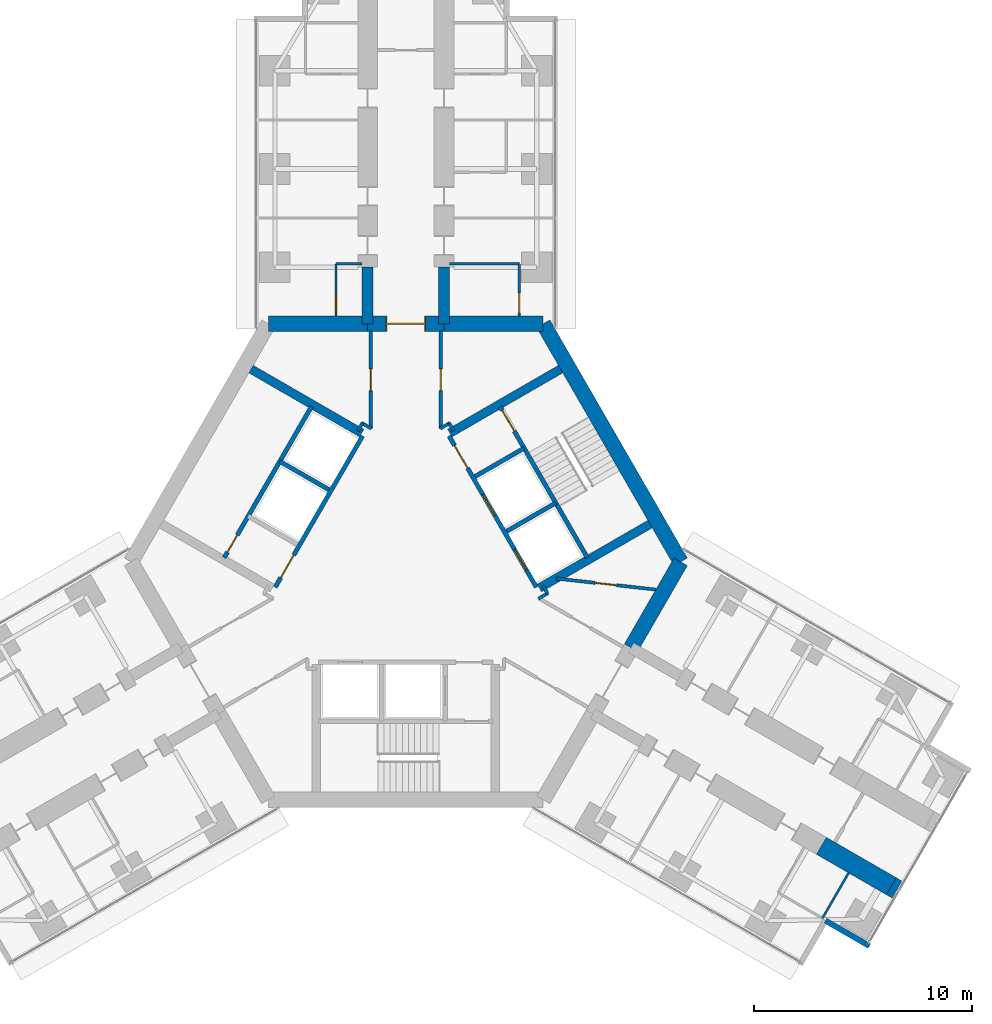
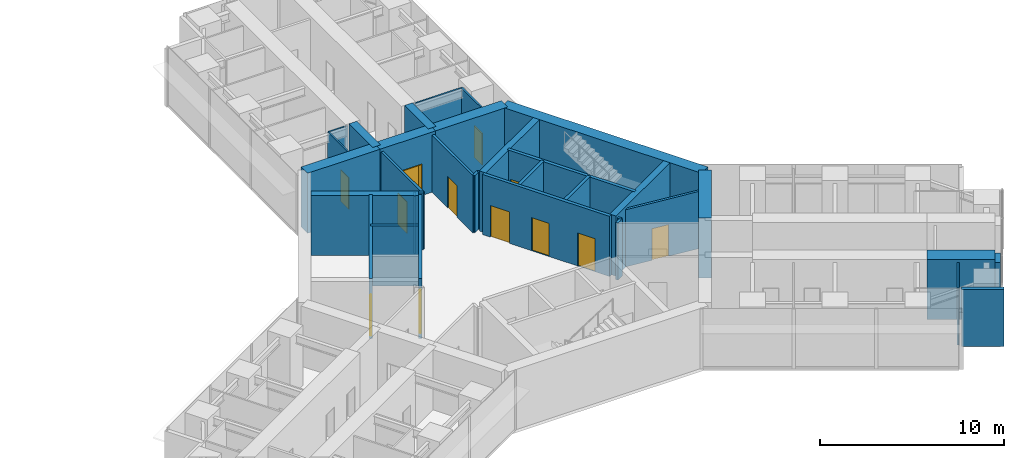
# One storey, part 22 of 25: 34 walls, 12 doors, 12 openings.
"""IFC4 building model written with IfcOpenShell, lengths in metres."""

from ifc_helpers import new_model, si_unit, direction, frame, frame_2d, origin, place, context, subcontext, project, spatial, rectangle, extrude, material, layer, layer_set, type_object, element, fill, save


model = new_model("IFC4")

# Units and contexts
model_context = context("Model", 3, precision=1e-05, world=origin(), true_north=direction((0.0, 1.0)))
body_context = subcontext(model_context, "Body", "Model", "MODEL_VIEW")
ifc_project = project(units=[si_unit("LENGTHUNIT", "METRE"), si_unit("AREAUNIT", "SQUARE_METRE"), si_unit("VOLUMEUNIT", "CUBIC_METRE"), si_unit("PLANEANGLEUNIT", "RADIAN"), si_unit("MASSUNIT", "GRAM", prefix="KILO")], contexts=[model_context])

# Site, building, storey
site_placement = place(None, origin())
site = spatial("IfcSite", under=ifc_project, at=site_placement, CompositionType="ELEMENT")
building_placement = place(site_placement, origin())
building = spatial("IfcBuilding", under=site, at=building_placement, Name="Upepo Twin Towers", CompositionType="ELEMENT")
storey_placement = place(building_placement, frame((0.0, 0.0, 72.5)))
storey = spatial("IfcBuildingStorey", under=building, at=storey_placement, Name="L17", CompositionType="ELEMENT", Elevation=72.5)

# Walls
ifc_material_1 = material(Name="Dense concrete blockwork", Category="masonry")
ifc_layer_1 = layer(ifc_material_1, 0.89990234375)
ifc_layer_set_1 = layer_set([ifc_layer_1], Name="Buttress closer 900, blockwork with fire-stopping to the curtain wall")
wall_type_1 = type_object("IfcWallType", Name="Buttress closer 900, blockwork with fire-stopping to the curtain wall", PredefinedType="PARTITIONING", material=ifc_layer_set_1)
wall_1_placement = place(storey_placement, frame((80.747802734375, -32.865478515625, 0.0), z_axis=(0.0, 0.0, 1.0), x_axis=(0.866054481515, -0.499949632511, 0.0)))
element("IfcWall", 1, at=wall_1_placement, inside=storey, type_object=wall_type_1, Name="T2 L17 wing C buttress closer R", PredefinedType="PARTITIONING", context=body_context, shape_type="SweptSolid", body=[
    extrude(rectangle(XDim=0.31005859375, YDim=0.89990234375, at=frame_2d((0.155029296875, 0.0))), origin(), (0.0, 0.0, 1.0), 3.800048828125),
])
ifc_material_2 = material(Name="Concrete C60/75", Category="concrete")
ifc_layer_2 = layer(ifc_material_2, 0.5)
ifc_layer_set_2 = layer_set([ifc_layer_2], Name="Concrete C60/75")
wall_type_2 = type_object("IfcWallType", Name="Buttress wall 500 RC", PredefinedType="SHEAR", material=ifc_layer_set_2)
for number, where, z_axis, x_axis, name in (
    (2, (56.75, -7.091552734375, 0.0), (0.0, 0.0, 1.0), (0.0, 1.0, 0.0), "T2 wing A buttress wall L"),
    (3, (60.25, -7.091552734375, 0.0), (0.0, 0.0, 1.0), (0.0, 1.0, 0.0), "T2 wing A buttress wall R"),
):
    element("IfcWall", number, at=place(storey_placement, frame(where, z_axis=z_axis, x_axis=x_axis)), inside=storey, type_object=wall_type_2, Name=name, PredefinedType="SHEAR", context=body_context, shape_type="SweptSolid", body=[
        extrude(rectangle(XDim=2.591552734375, YDim=0.5, at=frame_2d((1.2958984375, 0.0))), origin(), (0.0, 0.0, 1.0), 4.0),
    ])
ifc_material_3 = material(Name="Concrete C60/75", Category="concrete")
ifc_layer_3 = layer(ifc_material_3, 0.89990234375)
ifc_layer_set_3 = layer_set([ifc_layer_3], Name="Concrete C60/75")
wall_type_3 = type_object("IfcWallType", Name="Buttress wall 900 RC", PredefinedType="SHEAR", material=ifc_layer_set_3)
wall_2_placement = place(storey_placement, frame((77.543701171875, -31.015625, 0.0), z_axis=(0.0, 0.0, 1.0), x_axis=(0.866029545028, -0.499992827086, 0.0)))
element("IfcWall", 4, at=wall_2_placement, inside=storey, type_object=wall_type_3, Name="T2 wing C buttress wall R part 3", PredefinedType="SHEAR", context=body_context, shape_type="SweptSolid", body=[
    extrude(rectangle(XDim=3.69970703125, YDim=0.89990234375, at=frame_2d((1.849853515625, 0.0))), origin(), (0.0, 0.0, 1.0), 4.0),
])
ifc_material_4 = material(Name="Concrete C60/75", Category="concrete")
ifc_layer_4 = layer(ifc_material_4, 0.699951171875)
ifc_layer_set_4 = layer_set([ifc_layer_4], Name="Concrete C60/75")
wall_type_4 = type_object("IfcWallType", Name="Core wall 700 RC", PredefinedType="SHEAR", material=ifc_layer_set_4)
wall_3_placement = place(storey_placement, frame((64.7978515625, -7.091552734375, 0.0), z_axis=(0.0, 0.0, 1.0), x_axis=(-1.0, 0.0, 0.0)))
element("IfcWall", 5, at=wall_3_placement, inside=storey, type_object=wall_type_4, Name="T2 core wall 000 R", PredefinedType="SHEAR", context=body_context, shape_type="SweptSolid", body=[
    extrude(rectangle(XDim=4.5478515625, YDim=0.699951171875, at=frame_2d((2.27392578125, 0.0))), origin(), (0.0, 0.0, 1.0), 4.0),
])

# Wall, opening, door
wall_4_placement = place(storey_placement, frame((60.25, -7.091552734375, 0.0), z_axis=(0.0, 0.0, 1.0), x_axis=(-1.0, 0.0, 0.0)))
wall_4 = element("IfcWall", 6, at=wall_4_placement, inside=storey, type_object=wall_type_4, Name="T2 core wall 000", PredefinedType="SHEAR", context=body_context, shape_type="SweptSolid", body=[
    extrude(rectangle(XDim=3.5, YDim=0.699951171875, at=frame_2d((1.75, 0.0))), origin(), (0.0, 0.0, 1.0), 4.0),
])
opening_1_placement = place(wall_4_placement, frame((0.85009765625, 0.0, 0.0)))
opening_1 = element("IfcOpeningElement", 7, at=opening_1_placement, cuts=wall_4, Name="Opening D2", PredefinedType="OPENING", context=body_context, shape_type="SweptSolid", body=[
    extrude(rectangle(XDim=1.800048828125, YDim=2.10009765625, at=frame_2d((0.89990234375, 1.050048828125))), frame((0.0, 0.35986328125, 0.0), z_axis=(0.0, -1.0, 0.0), x_axis=(1.0, 0.0, 0.0)), (0.0, 0.0, 1.0), 0.719970703125),
])
ifc_material_5 = material(Name="Timber doorset", Category="wood")
door_type_1 = type_object("IfcDoorType", Name="Corridor double door 1800 FD60", OperationType="DOUBLE_DOOR_DOUBLE_SWING", PredefinedType="DOOR", material=ifc_material_5)
door_1_placement = place(opening_1_placement, origin())
door_1 = element("IfcDoor", 8, at=door_1_placement, inside=storey, type_object=door_type_1, Name="T2 L17 wing A corridor door", OperationType="DOUBLE_DOOR_DOUBLE_SWING", OverallHeight=2.10009765625, OverallWidth=1.800048828125, PredefinedType="DOOR", context=body_context, shape_type="SweptSolid", body=[
    extrude(rectangle(XDim=1.720048828125, YDim=2.06009765625, at=frame_2d((0.89990234375, 1.030029296875))), frame((0.0, 0.02490234375, 0.0), z_axis=(0.0, -1.0, 0.0), x_axis=(1.0, 0.0, 0.0)), (0.0, 0.0, 1.0), 0.050048828125),
    extrude(rectangle(XDim=0.04, YDim=2.10009765625, at=frame_2d((0.02001953125, 1.050048828125))), frame((0.0, 0.349609375, 0.0), z_axis=(0.0, -1.0, 0.0), x_axis=(1.0, 0.0, 0.0)), (0.0, 0.0, 1.0), 0.699462890625),
    extrude(rectangle(XDim=0.04, YDim=2.10009765625, at=frame_2d((1.780029296875, 1.050048828125))), frame((0.0, 0.349609375, 0.0), z_axis=(0.0, -1.0, 0.0), x_axis=(1.0, 0.0, 0.0)), (0.0, 0.0, 1.0), 0.699462890625),
    extrude(rectangle(XDim=1.720048828125, YDim=0.04, at=frame_2d((0.89990234375, 2.080078125))), frame((0.0, 0.349609375, 0.0), z_axis=(0.0, -1.0, 0.0), x_axis=(1.0, 0.0, 0.0)), (0.0, 0.0, 1.0), 0.699462890625),
])
fill(opening_1, door_1)

# Walls
wall_5_placement = place(storey_placement, frame((56.75, -7.091552734375, 0.0), z_axis=(0.0, 0.0, 1.0), x_axis=(-1.0, 0.0, 0.0)))
element("IfcWall", 9, at=wall_5_placement, inside=storey, type_object=wall_type_4, Name="T2 core wall 000 L", PredefinedType="SHEAR", context=body_context, shape_type="SweptSolid", body=[
    extrude(rectangle(XDim=4.5478515625, YDim=0.699951171875, at=frame_2d((2.27392578125, 0.0))), origin(), (0.0, 0.0, 1.0), 4.0),
])
wall_6_placement = place(storey_placement, frame((68.82177734375, -21.938720703125, 0.0), z_axis=(0.0, 0.0, 1.0), x_axis=(0.500024481964, 0.866011268655, 0.0)))
element("IfcWall", 10, at=wall_6_placement, inside=storey, type_object=wall_type_4, Name="T2 core wall 240 L", PredefinedType="SHEAR", context=body_context, shape_type="SweptSolid", body=[
    extrude(rectangle(XDim=4.548095703125, YDim=0.699951171875, at=frame_2d((2.27392578125, 0.0))), origin(), (0.0, 0.0, 1.0), 4.0),
])
wall_7_placement = place(storey_placement, frame((71.095947265625, -18.0, 0.0), z_axis=(0.0, 0.0, 1.0), x_axis=(-0.500005998175, 0.866021940709, 0.0)))
element("IfcWall", 11, at=wall_7_placement, inside=storey, type_object=wall_type_4, Name="T2 core wall 300", PredefinedType="SHEAR", context=body_context, shape_type="SweptSolid", body=[
    extrude(rectangle(XDim=12.595947265625, YDim=0.699951171875, at=frame_2d((6.2978515625, 0.0))), origin(), (0.0, 0.0, 1.0), 4.0),
])
ifc_material_6 = material(Name="Blockwork with anodised aluminium cladding", Category="masonry")
ifc_layer_5 = layer(ifc_material_6, 0.25)
ifc_layer_set_5 = layer_set([ifc_layer_5], Name="Notch cladding wall 250, pale metal")
wall_type_5 = type_object("IfcWallType", Name="Notch cladding wall 250, pale metal", PredefinedType="STANDARD", material=ifc_layer_set_5)
wall_8_placement = place(storey_placement, frame((77.72998046875, -34.44287109375, 0.0), z_axis=(0.0, 0.0, 1.0), x_axis=(0.865998469481, -0.500046648681, 0.0)))
element("IfcWall", 12, at=wall_8_placement, inside=storey, type_object=wall_type_5, Name="T2 L17 wing C notch wall R2", PredefinedType="STANDARD", context=body_context, shape_type="SweptSolid", body=[
    extrude(rectangle(XDim=2.324951171875, YDim=0.25, at=frame_2d((1.16259765625, 0.0))), origin(), (0.0, 0.0, 1.0), 3.800048828125),
])

# Wall, opening, door
ifc_material_7 = material(Name="Gypsum board on steel studs", Category="steel")
ifc_layer_6 = layer(ifc_material_7, 0.10009765625)
ifc_layer_set_6 = layer_set([ifc_layer_6], Name="Office partition 100 stud")
wall_type_6 = type_object("IfcWallType", Name="Office partition 100 stud", PredefinedType="PARTITIONING", material=ifc_layer_set_6)
wall_9_placement = place(storey_placement, frame((55.300048828125, -6.741943359375, 0.0), z_axis=(0.0, 0.0, 1.0), x_axis=(0.0, 1.0, 0.0)))
wall_9 = element("IfcWall", 13, at=wall_9_placement, inside=storey, type_object=wall_type_6, Name="T2 WC bay partition AL at 11.26", PredefinedType="PARTITIONING", context=body_context, shape_type="SweptSolid", body=[
    extrude(rectangle(XDim=2.39990234375, YDim=0.10009765625, at=frame_2d((1.199951171875, 0.0))), origin(), (0.0, 0.0, 1.0), 3.800048828125),
])
opening_2_placement = place(wall_9_placement, frame((0.14990234375, 0.0, 0.0)))
opening_2 = element("IfcOpeningElement", 14, at=opening_2_placement, cuts=wall_9, Name="Opening D14", PredefinedType="OPENING", context=body_context, shape_type="SweptSolid", body=[
    extrude(rectangle(XDim=0.89990234375, YDim=2.10009765625, at=frame_2d((0.449951171875, 1.050048828125))), frame((0.0, 0.06005859375, 0.0), z_axis=(0.0, -1.0, 0.0), x_axis=(1.0, 0.0, 0.0)), (0.0, 0.0, 1.0), 0.1201171875),
])
ifc_material_8 = material(Name="Timber doorset", Category="wood")
door_type_2 = type_object("IfcDoorType", Name="Office door 900 FD30", OperationType="SINGLE_SWING_LEFT", PredefinedType="DOOR", material=ifc_material_8)
door_2_placement = place(opening_2_placement, origin())
door_2 = element("IfcDoor", 15, at=door_2_placement, inside=storey, type_object=door_type_2, Name="T2 L17 WC bay inner room door", OperationType="SINGLE_SWING_LEFT", OverallHeight=2.10009765625, OverallWidth=0.89990234375, PredefinedType="DOOR", context=body_context, shape_type="SweptSolid", body=[
    extrude(rectangle(XDim=0.89990234375, YDim=2.10009765625, at=frame_2d((0.449951171875, 1.050048828125))), frame((0.0, 0.02490234375, 0.0), z_axis=(0.0, -1.0, 0.0), x_axis=(1.0, 0.0, 0.0)), (0.0, 0.0, 1.0), 0.050048828125),
])
fill(opening_2, door_2)

# Wall
wall_10_placement = place(storey_placement, frame((56.5, -4.342041015625, 0.0), z_axis=(0.0, 0.0, 1.0), x_axis=(-1.0, 0.0, 0.0)))
element("IfcWall", 16, at=wall_10_placement, inside=storey, type_object=wall_type_6, Name="T2 WC bay partition AL end at 13.66", PredefinedType="PARTITIONING", context=body_context, shape_type="SweptSolid", body=[
    extrude(rectangle(XDim=1.199951171875, YDim=0.10009765625, at=frame_2d((0.60009765625, 0.0))), origin(), (0.0, 0.0, 1.0), 3.800048828125),
])

# Wall, opening, door
wall_11_placement = place(storey_placement, frame((63.699951171875, -6.741943359375, 0.0), z_axis=(0.0, 0.0, 1.0), x_axis=(0.0, 1.0, 0.0)))
wall_11 = element("IfcWall", 17, at=wall_11_placement, inside=storey, type_object=wall_type_6, Name="T2 WC bay partition AR at 11.26", PredefinedType="PARTITIONING", context=body_context, shape_type="SweptSolid", body=[
    extrude(rectangle(XDim=2.39990234375, YDim=0.10009765625, at=frame_2d((1.199951171875, 0.0))), origin(), (0.0, 0.0, 1.0), 3.800048828125),
])
opening_3_placement = place(wall_11_placement, frame((0.14990234375, 0.0, 0.0)))
opening_3 = element("IfcOpeningElement", 18, at=opening_3_placement, cuts=wall_11, Name="Opening D14", PredefinedType="OPENING", context=body_context, shape_type="SweptSolid", body=[
    extrude(rectangle(XDim=0.89990234375, YDim=2.10009765625, at=frame_2d((0.449951171875, 1.050048828125))), frame((0.0, 0.06005859375, 0.0), z_axis=(0.0, -1.0, 0.0), x_axis=(1.0, 0.0, 0.0)), (0.0, 0.0, 1.0), 0.1201171875),
])
door_3_placement = place(opening_3_placement, origin())
door_3 = element("IfcDoor", 19, at=door_3_placement, inside=storey, type_object=door_type_2, Name="T2 L17 WC bay inner room door", OperationType="SINGLE_SWING_LEFT", OverallHeight=2.10009765625, OverallWidth=0.89990234375, PredefinedType="DOOR", context=body_context, shape_type="SweptSolid", body=[
    extrude(rectangle(XDim=0.89990234375, YDim=2.10009765625, at=frame_2d((0.449951171875, 1.050048828125))), frame((0.0, 0.02490234375, 0.0), z_axis=(0.0, -1.0, 0.0), x_axis=(1.0, 0.0, 0.0)), (0.0, 0.0, 1.0), 0.050048828125),
])
fill(opening_3, door_3)

# Walls
wall_12_placement = place(storey_placement, frame((60.5, -4.342041015625, 0.0), z_axis=(0.0, 0.0, 1.0), x_axis=(1.0, 0.0, 0.0)))
element("IfcWall", 20, at=wall_12_placement, inside=storey, type_object=wall_type_6, Name="T2 WC bay partition AR end at 13.66", PredefinedType="PARTITIONING", context=body_context, shape_type="SweptSolid", body=[
    extrude(rectangle(XDim=3.199951171875, YDim=0.10009765625, at=frame_2d((1.60009765625, 0.0))), origin(), (0.0, 0.0, 1.0), 3.800048828125),
])
wall_13_placement = place(storey_placement, frame((78.790771484375, -32.25537109375, 0.0), z_axis=(0.0, 0.0, 1.0), x_axis=(-0.500001309137, -0.866024647952, 0.0)))
element("IfcWall", 21, at=wall_13_placement, inside=storey, type_object=wall_type_6, Name="T2 inner room partition CR end at 24.75", PredefinedType="PARTITIONING", context=body_context, shape_type="SweptSolid", body=[
    extrude(rectangle(XDim=2.39990234375, YDim=0.10009765625, at=frame_2d((1.199951171875, 0.0))), origin(), (0.0, 0.0, 1.0), 3.800048828125),
])

# Wall, opening, door
ifc_material_9 = material(Name="Concrete C40/50", Category="concrete")
ifc_layer_7 = layer(ifc_material_9, 0.199951171875)
ifc_layer_set_7 = layer_set([ifc_layer_7], Name="Concrete C40/50")
wall_type_7 = type_object("IfcWallType", Name="Shaft wall 200 RC", PredefinedType="SHEAR", material=ifc_layer_set_7)
wall_14_placement = place(storey_placement, frame((56.516357421875, -12.23583984375, 0.0), z_axis=(0.0, 0.0, 1.0), x_axis=(-0.49999894854, -0.866026010844, 0.0)))
wall_14 = element("IfcWall", 22, at=wall_14_placement, inside=storey, type_object=wall_type_7, Name="T2 core W60 front wall", PredefinedType="SHEAR", context=body_context, shape_type="SweptSolid", body=[
    extrude(rectangle(XDim=8.0, YDim=0.199951171875, at=frame_2d((4.0, 0.0))), origin(), (0.0, 0.0, 1.0), 4.0),
])
opening_4_placement = place(wall_14_placement, frame((6.300048828125, 0.0, 0.0)))
opening_4 = element("IfcOpeningElement", 23, at=opening_4_placement, cuts=wall_14, Name="Opening D4", PredefinedType="OPENING", context=body_context, shape_type="SweptSolid", body=[
    extrude(rectangle(XDim=1.199951171875, YDim=2.10009765625, at=frame_2d((0.60009765625, 1.050048828125))), frame((0.0, 0.10986328125, 0.0), z_axis=(0.0, -1.0, 0.0), x_axis=(1.0, 0.0, 0.0)), (0.0, 0.0, 1.0), 0.219970703125),
])
ifc_material_10 = material(Name="Timber doorset", Category="wood")
door_type_3 = type_object("IfcDoorType", Name="Lobby door 1200 FD60", OperationType="SINGLE_SWING_LEFT", PredefinedType="DOOR", material=ifc_material_10)
door_4_placement = place(opening_4_placement, origin())
door_4 = element("IfcDoor", 24, at=door_4_placement, inside=storey, type_object=door_type_3, Name="T2 L17 W60 lobby door", OperationType="SINGLE_SWING_RIGHT", OverallHeight=2.10009765625, OverallWidth=1.199951171875, PredefinedType="DOOR", context=body_context, shape_type="SweptSolid", body=[
    extrude(rectangle(XDim=1.199951171875, YDim=2.10009765625, at=frame_2d((0.60009765625, 1.050048828125))), frame((0.0, 0.02490234375, 0.0), z_axis=(0.0, -1.0, 0.0), x_axis=(1.0, 0.0, 0.0)), (0.0, 0.0, 1.0), 0.050048828125),
])
fill(opening_4, door_4)

# Wall
wall_15_placement = place(storey_placement, frame((54.979736328125, -14.697265625, 0.0), z_axis=(0.0, 0.0, 1.0), x_axis=(-0.866062058628, 0.499936506574, 0.0)))
element("IfcWall", 25, at=wall_15_placement, inside=storey, type_object=wall_type_7, Name="T2 core W60 shaft divider", PredefinedType="SHEAR", context=body_context, shape_type="SweptSolid", body=[
    extrude(rectangle(XDim=2.599853515625, YDim=0.199951171875, at=frame_2d((1.2998046875, 0.0))), origin(), (0.0, 0.0, 1.0), 4.0),
])

# Wall, opening, door
wall_16_placement = place(storey_placement, frame((54.177978515625, -10.885986328125, 0.0), z_axis=(0.0, 0.0, 1.0), x_axis=(-0.49999894854, -0.866026010844, 0.0)))
wall_16 = element("IfcWall", 26, at=wall_16_placement, inside=storey, type_object=wall_type_7, Name="T2 core W60 stair wall", PredefinedType="SHEAR", context=body_context, shape_type="SweptSolid", body=[
    extrude(rectangle(XDim=8.0, YDim=0.199951171875, at=frame_2d((4.0, 0.0))), origin(), (0.0, 0.0, 1.0), 4.0),
])
opening_5_placement = place(wall_16_placement, frame((6.800048828125, 0.0, 0.0)))
opening_5 = element("IfcOpeningElement", 27, at=opening_5_placement, cuts=wall_16, Name="Opening D9", PredefinedType="OPENING", context=body_context, shape_type="SweptSolid", body=[
    extrude(rectangle(XDim=0.89990234375, YDim=2.10009765625, at=frame_2d((0.449951171875, 1.050048828125))), frame((0.0, 0.10986328125, 0.0), z_axis=(0.0, -1.0, 0.0), x_axis=(1.0, 0.0, 0.0)), (0.0, 0.0, 1.0), 0.219970703125),
])
ifc_material_11 = material(Name="Timber doorset", Category="wood")
door_type_4 = type_object("IfcDoorType", Name="Riser door 900 FD60", OperationType="SINGLE_SWING_LEFT", PredefinedType="DOOR", material=ifc_material_11)
door_5_placement = place(opening_5_placement, origin())
door_5 = element("IfcDoor", 28, at=door_5_placement, inside=storey, type_object=door_type_4, Name="T2 L17 riser door", OperationType="SINGLE_SWING_RIGHT", OverallHeight=2.10009765625, OverallWidth=0.89990234375, PredefinedType="DOOR", context=body_context, shape_type="SweptSolid", body=[
    extrude(rectangle(XDim=0.89990234375, YDim=2.10009765625, at=frame_2d((0.449951171875, 1.050048828125))), frame((0.0, 0.02490234375, 0.0), z_axis=(0.0, -1.0, 0.0), x_axis=(1.0, 0.0, 0.0)), (0.0, 0.0, 1.0), 0.050048828125),
])
fill(opening_5, door_5)

# Wall, openings, doors
wall_17_placement = place(storey_placement, frame((64.483642578125, -19.1640625, 0.0), z_axis=(0.0, 0.0, 1.0), x_axis=(-0.49999894854, 0.866026010844, 0.0)))
wall_17 = element("IfcWall", 29, at=wall_17_placement, inside=storey, type_object=wall_type_7, Name="T2 core W300 front wall", PredefinedType="SHEAR", context=body_context, shape_type="SweptSolid", body=[
    extrude(rectangle(XDim=8.0, YDim=0.199951171875, at=frame_2d((4.0, 0.0))), origin(), (0.0, 0.0, 1.0), 4.0),
])
opening_6_placement = place(wall_17_placement, frame((6.300048828125, 0.0, 0.0)))
opening_6 = element("IfcOpeningElement", 30, at=opening_6_placement, cuts=wall_17, Name="Opening D4", PredefinedType="OPENING", context=body_context, shape_type="SweptSolid", body=[
    extrude(rectangle(XDim=1.199951171875, YDim=2.10009765625, at=frame_2d((0.60009765625, 1.050048828125))), frame((0.0, 0.10986328125, 0.0), z_axis=(0.0, -1.0, 0.0), x_axis=(1.0, 0.0, 0.0)), (0.0, 0.0, 1.0), 0.219970703125),
])
opening_7_placement = place(wall_17_placement, frame((0.89990234375, 0.0, 0.0)))
opening_7 = element("IfcOpeningElement", 31, at=opening_7_placement, cuts=wall_17, Name="Opening LD1", PredefinedType="OPENING", context=body_context, shape_type="SweptSolid", body=[
    extrude(rectangle(XDim=1.10009765625, YDim=2.199951171875, at=frame_2d((0.550048828125, 1.10009765625))), frame((0.0, 0.10986328125, 0.0), z_axis=(0.0, -1.0, 0.0), x_axis=(1.0, 0.0, 0.0)), (0.0, 0.0, 1.0), 0.219970703125),
])
opening_8_placement = place(wall_17_placement, frame((3.800048828125, 0.0, 0.0)))
opening_8 = element("IfcOpeningElement", 32, at=opening_8_placement, cuts=wall_17, Name="Opening LD1", PredefinedType="OPENING", context=body_context, shape_type="SweptSolid", body=[
    extrude(rectangle(XDim=1.10009765625, YDim=2.199951171875, at=frame_2d((0.550048828125, 1.10009765625))), frame((0.0, 0.10986328125, 0.0), z_axis=(0.0, -1.0, 0.0), x_axis=(1.0, 0.0, 0.0)), (0.0, 0.0, 1.0), 0.219970703125),
])
ifc_material_12 = material(Name="Steel doorset", Category="steel")
door_type_5 = type_object("IfcDoorType", Name="Lift landing door 1100", OperationType="DOUBLE_DOOR_SLIDING", PredefinedType="DOOR", material=ifc_material_12)
door_6_placement = place(opening_7_placement, origin())
door_6 = element("IfcDoor", 33, at=door_6_placement, inside=storey, type_object=door_type_5, Name="T2 L17 lift LL1 landing door", OperationType="DOUBLE_DOOR_SLIDING", OverallHeight=2.199951171875, OverallWidth=1.10009765625, PredefinedType="DOOR", context=body_context, shape_type="SweptSolid", body=[
    extrude(rectangle(XDim=1.10009765625, YDim=2.199951171875, at=frame_2d((0.550048828125, 1.10009765625))), frame((0.0, 0.02490234375, 0.0), z_axis=(0.0, -1.0, 0.0), x_axis=(1.0, 0.0, 0.0)), (0.0, 0.0, 1.0), 0.050048828125),
])
fill(opening_7, door_6)
door_7_placement = place(opening_8_placement, origin())
door_7 = element("IfcDoor", 34, at=door_7_placement, inside=storey, type_object=door_type_5, Name="T2 L17 lift LL2 landing door", OperationType="DOUBLE_DOOR_SLIDING", OverallHeight=2.199951171875, OverallWidth=1.10009765625, PredefinedType="DOOR", context=body_context, shape_type="SweptSolid", body=[
    extrude(rectangle(XDim=1.10009765625, YDim=2.199951171875, at=frame_2d((0.550048828125, 1.10009765625))), frame((0.0, 0.02490234375, 0.0), z_axis=(0.0, -1.0, 0.0), x_axis=(1.0, 0.0, 0.0)), (0.0, 0.0, 1.0), 0.050048828125),
])
fill(opening_8, door_7)
door_8_placement = place(opening_6_placement, origin())
door_8 = element("IfcDoor", 35, at=door_8_placement, inside=storey, type_object=door_type_3, Name="T2 L17 W300 lobby door", OperationType="SINGLE_SWING_RIGHT", OverallHeight=2.10009765625, OverallWidth=1.199951171875, PredefinedType="DOOR", context=body_context, shape_type="SweptSolid", body=[
    extrude(rectangle(XDim=1.199951171875, YDim=2.10009765625, at=frame_2d((0.60009765625, 1.050048828125))), frame((0.0, 0.02490234375, 0.0), z_axis=(0.0, -1.0, 0.0), x_axis=(1.0, 0.0, 0.0)), (0.0, 0.0, 1.0), 0.050048828125),
])
fill(opening_6, door_8)

# Walls
wall_18_placement = place(storey_placement, frame((63.120361328125, -16.6025390625, 0.0), z_axis=(0.0, 0.0, 1.0), x_axis=(0.866062058628, 0.499936506574, 0.0)))
element("IfcWall", 36, at=wall_18_placement, inside=storey, type_object=wall_type_7, Name="T2 core W300 shaft divider", PredefinedType="SHEAR", context=body_context, shape_type="SweptSolid", body=[
    extrude(rectangle(XDim=2.599853515625, YDim=0.199951171875, at=frame_2d((1.2998046875, 0.0))), origin(), (0.0, 0.0, 1.0), 4.0),
])
wall_19_placement = place(storey_placement, frame((61.67041015625, -14.091064453125, 0.0), z_axis=(0.0, 0.0, 1.0), x_axis=(0.86603858612, 0.49997716683, 0.0)))
element("IfcWall", 37, at=wall_19_placement, inside=storey, type_object=wall_type_7, Name="T2 core W300 lobby wall", PredefinedType="SHEAR", context=body_context, shape_type="SweptSolid", body=[
    extrude(rectangle(XDim=2.599609375, YDim=0.199951171875, at=frame_2d((1.2998046875, 0.0))), origin(), (0.0, 0.0, 1.0), 4.0),
])

# Wall, opening, door
wall_20_placement = place(storey_placement, frame((66.822021484375, -17.814208984375, 0.0), z_axis=(0.0, 0.0, 1.0), x_axis=(-0.49999894854, 0.866026010844, 0.0)))
wall_20 = element("IfcWall", 38, at=wall_20_placement, inside=storey, type_object=wall_type_7, Name="T2 core W300 stair wall", PredefinedType="SHEAR", context=body_context, shape_type="SweptSolid", body=[
    extrude(rectangle(XDim=8.0, YDim=0.199951171875, at=frame_2d((4.0, 0.0))), origin(), (0.0, 0.0, 1.0), 4.0),
])
opening_9_placement = place(wall_20_placement, frame((6.699951171875, 0.0, 0.0)))
opening_9 = element("IfcOpeningElement", 39, at=opening_9_placement, cuts=wall_20, Name="Opening D3", PredefinedType="OPENING", context=body_context, shape_type="SweptSolid", body=[
    extrude(rectangle(XDim=1.10009765625, YDim=2.10009765625, at=frame_2d((0.550048828125, 1.050048828125))), frame((0.0, 0.10986328125, 0.0), z_axis=(0.0, -1.0, 0.0), x_axis=(1.0, 0.0, 0.0)), (0.0, 0.0, 1.0), 0.219970703125),
])
ifc_material_13 = material(Name="Timber doorset", Category="wood")
door_type_6 = type_object("IfcDoorType", Name="Stair door 1100 FD60", OperationType="SINGLE_SWING_LEFT", PredefinedType="DOOR", material=ifc_material_13)
door_9_placement = place(opening_9_placement, origin())
door_9 = element("IfcDoor", 40, at=door_9_placement, inside=storey, type_object=door_type_6, Name="T2 L17 stair door", OperationType="SINGLE_SWING_RIGHT", OverallHeight=2.10009765625, OverallWidth=1.10009765625, PredefinedType="DOOR", context=body_context, shape_type="SweptSolid", body=[
    extrude(rectangle(XDim=1.10009765625, YDim=2.10009765625, at=frame_2d((0.550048828125, 1.050048828125))), frame((0.0, 0.02490234375, 0.0), z_axis=(0.0, -1.0, 0.0), x_axis=(1.0, 0.0, 0.0)), (0.0, 0.0, 1.0), 0.050048828125),
])
fill(opening_9, door_9)

# Walls
ifc_material_14 = material(Name="Concrete C40/50", Category="concrete")
ifc_layer_8 = layer(ifc_material_14, 0.39990234375)
ifc_layer_set_8 = layer_set([ifc_layer_8], Name="Concrete C40/50")
wall_type_8 = type_object("IfcWallType", Name="Shaft wall 400 RC", PredefinedType="SHEAR", material=ifc_layer_set_8)
for number, where, z_axis, x_axis, name in (
    (41, (56.479736328125, -12.099365234375, 0.0), (0.0, 0.0, 1.0), (-0.866023886965, 0.500002627198, 0.0), "T2 core W60 side wall S"),
    (42, (60.520263671875, -12.099365234375, 0.0), (0.0, 0.0, 1.0), (0.866023886965, 0.500002627198, 0.0), "T2 core W300 side wall N"),
    (43, (64.620361328125, -19.20068359375, 0.0), (0.0, 0.0, 1.0), (0.866023886965, 0.500002627198, 0.0), "T2 core W300 side wall S"),
):
    element("IfcWall", number, at=place(storey_placement, frame(where, z_axis=z_axis, x_axis=x_axis)), inside=storey, type_object=wall_type_8, Name=name, PredefinedType="SHEAR", context=body_context, shape_type="SweptSolid", body=[
        extrude(rectangle(XDim=5.8583984375, YDim=0.39990234375, at=frame_2d((2.92919921875, 0.0))), origin(), (0.0, 0.0, 1.0), 4.0),
    ])
ifc_material_15 = material(Name="Gypsum board on steel studs", Category="steel")
ifc_layer_9 = layer(ifc_material_15, 0.14990234375)
ifc_layer_set_9 = layer_set([ifc_layer_9], Name="Teaching partition 150 acoustic")
wall_type_9 = type_object("IfcWallType", Name="Teaching partition 150 acoustic", PredefinedType="PARTITIONING", material=ifc_layer_set_9)
wall_21_placement = place(storey_placement, frame((56.301513671875, -12.0078125, 0.0), z_axis=(0.0, 0.0, 1.0), x_axis=(0.500230298122, 0.865892400268, 0.0)))
element("IfcWall", 44, at=wall_21_placement, inside=storey, type_object=wall_type_9, Name="T2 core room partition 6", PredefinedType="PARTITIONING", context=body_context, shape_type="SweptSolid", body=[
    extrude(rectangle(XDim=0.429931640625, YDim=0.14990234375, at=frame_2d((0.21484375, 0.0))), origin(), (0.0, 0.0, 1.0), 3.800048828125),
])
wall_22_placement = place(storey_placement, frame((56.4892578125, -11.642822265625, 0.0), z_axis=(0.0, 0.0, 1.0), x_axis=(0.865831790172, -0.50033519877, 0.0)))
element("IfcWall", 45, at=wall_22_placement, inside=storey, type_object=wall_type_9, Name="T2 core room partition 7", PredefinedType="PARTITIONING", context=body_context, shape_type="SweptSolid", body=[
    extrude(rectangle(XDim=0.494384765625, YDim=0.14990234375, at=frame_2d((0.2470703125, 0.0))), origin(), (0.0, 0.0, 1.0), 3.800048828125),
])

# Wall, opening, door
wall_23_placement = place(storey_placement, frame((56.89990234375, -11.900146484375, 0.0), z_axis=(0.0, 0.0, 1.0), x_axis=(0.0, 1.0, 0.0)))
wall_23 = element("IfcWall", 46, at=wall_23_placement, inside=storey, type_object=wall_type_9, Name="T2 core room partition 8", PredefinedType="PARTITIONING", context=body_context, shape_type="SweptSolid", body=[
    extrude(rectangle(XDim=4.468505859375, YDim=0.14990234375, at=frame_2d((2.234375, 0.0))), origin(), (0.0, 0.0, 1.0), 3.800048828125),
])
opening_10_placement = place(wall_23_placement, frame((1.744384765625, 0.0, 0.0)))
opening_10 = element("IfcOpeningElement", 47, at=opening_10_placement, cuts=wall_23, Name="Opening D1", PredefinedType="OPENING", context=body_context, shape_type="SweptSolid", body=[
    extrude(rectangle(XDim=1.0, YDim=2.10009765625, at=frame_2d((0.5, 1.050048828125))), frame((0.0, 0.0849609375, 0.0), z_axis=(0.0, -1.0, 0.0), x_axis=(1.0, 0.0, 0.0)), (0.0, 0.0, 1.0), 0.169921875),
])
ifc_material_16 = material(Name="Timber doorset", Category="wood")
door_type_7 = type_object("IfcDoorType", Name="Room door 1000 FD30", OperationType="SINGLE_SWING_LEFT", PredefinedType="DOOR", material=ifc_material_16)
door_10_placement = place(opening_10_placement, origin())
door_10 = element("IfcDoor", 48, at=door_10_placement, inside=storey, type_object=door_type_7, Name="T2 L17 core room door K7", OperationType="SINGLE_SWING_RIGHT", OverallHeight=2.10009765625, OverallWidth=1.0, PredefinedType="DOOR", context=body_context, shape_type="SweptSolid", body=[
    extrude(rectangle(XDim=1.0, YDim=2.10009765625, at=frame_2d((0.5, 1.050048828125))), frame((0.0, 0.02490234375, 0.0), z_axis=(0.0, -1.0, 0.0), x_axis=(1.0, 0.0, 0.0)), (0.0, 0.0, 1.0), 0.050048828125),
])
fill(opening_10, door_10)

wall_24_placement = place(storey_placement, frame((60.10009765625, -7.431640625, 0.0), z_axis=(0.0, 0.0, 1.0), x_axis=(0.0, -1.0, 0.0)))
wall_24 = element("IfcWall", 49, at=wall_24_placement, inside=storey, type_object=wall_type_9, Name="T2 core room partition 9", PredefinedType="PARTITIONING", context=body_context, shape_type="SweptSolid", body=[
    extrude(rectangle(XDim=4.468505859375, YDim=0.14990234375, at=frame_2d((2.234375, 0.0))), origin(), (0.0, 0.0, 1.0), 3.800048828125),
])
opening_11_placement = place(wall_24_placement, frame((1.72412109375, 0.0, 0.0)))
opening_11 = element("IfcOpeningElement", 50, at=opening_11_placement, cuts=wall_24, Name="Opening D1", PredefinedType="OPENING", context=body_context, shape_type="SweptSolid", body=[
    extrude(rectangle(XDim=1.0, YDim=2.10009765625, at=frame_2d((0.5, 1.050048828125))), frame((0.0, 0.0849609375, 0.0), z_axis=(0.0, -1.0, 0.0), x_axis=(1.0, 0.0, 0.0)), (0.0, 0.0, 1.0), 0.169921875),
])
door_11_placement = place(opening_11_placement, origin())
door_11 = element("IfcDoor", 51, at=door_11_placement, inside=storey, type_object=door_type_7, Name="T2 L17 core room door K6", OperationType="SINGLE_SWING_LEFT", OverallHeight=2.10009765625, OverallWidth=1.0, PredefinedType="DOOR", context=body_context, shape_type="SweptSolid", body=[
    extrude(rectangle(XDim=1.0, YDim=2.10009765625, at=frame_2d((0.5, 1.050048828125))), frame((0.0, 0.02490234375, 0.0), z_axis=(0.0, -1.0, 0.0), x_axis=(1.0, 0.0, 0.0)), (0.0, 0.0, 1.0), 0.050048828125),
])
fill(opening_11, door_11)

# Walls
wall_25_placement = place(storey_placement, frame((60.082763671875, -11.89013671875, 0.0), z_axis=(0.0, 0.0, 1.0), x_axis=(0.865831790172, 0.50033519877, 0.0)))
element("IfcWall", 52, at=wall_25_placement, inside=storey, type_object=wall_type_9, Name="T2 core room partition 10", PredefinedType="PARTITIONING", context=body_context, shape_type="SweptSolid", body=[
    extrude(rectangle(XDim=0.494384765625, YDim=0.14990234375, at=frame_2d((0.2470703125, 0.0))), origin(), (0.0, 0.0, 1.0), 3.800048828125),
])
for number, where, z_axis, x_axis, name in (
    (53, (60.4833984375, -11.635498046875, 0.0), (0.0, 0.0, 1.0), (0.500230298122, -0.865892400268, 0.0), "T2 core room partition 11"),
    (54, (64.78857421875, -19.092041015625, 0.0), (0.0, 0.0, 1.0), (0.499804398801, -0.866138304741, 0.0), "T2 core room partition 12"),
):
    element("IfcWall", number, at=place(storey_placement, frame(where, z_axis=z_axis, x_axis=x_axis)), inside=storey, type_object=wall_type_9, Name=name, PredefinedType="PARTITIONING", context=body_context, shape_type="SweptSolid", body=[
        extrude(rectangle(XDim=0.429931640625, YDim=0.14990234375, at=frame_2d((0.21484375, 0.0))), origin(), (0.0, 0.0, 1.0), 3.800048828125),
    ])
wall_26_placement = place(storey_placement, frame((65.0107421875, -19.43701171875, 0.0), z_axis=(0.0, 0.0, 1.0), x_axis=(-0.865831790172, -0.50033519877, 0.0)))
element("IfcWall", 55, at=wall_26_placement, inside=storey, type_object=wall_type_9, Name="T2 core room partition 13", PredefinedType="PARTITIONING", context=body_context, shape_type="SweptSolid", body=[
    extrude(rectangle(XDim=0.494384765625, YDim=0.14990234375, at=frame_2d((0.2470703125, 0.0))), origin(), (0.0, 0.0, 1.0), 3.800048828125),
])

# Wall, opening, door
wall_27_placement = place(storey_placement, frame((65.376953125, -18.763916015625, 0.0), z_axis=(0.0, 0.0, 1.0), x_axis=(0.993886318744, -0.110408266965, 0.0)))
wall_27 = element("IfcWall", 56, at=wall_27_placement, inside=storey, type_object=wall_type_9, Name="T2 core room partition 19", PredefinedType="PARTITIONING", context=body_context, shape_type="SweptSolid", body=[
    extrude(rectangle(XDim=4.608154296875, YDim=0.14990234375, at=frame_2d((2.30419921875, 0.0))), origin(), (0.0, 0.0, 1.0), 3.800048828125),
])
opening_12_placement = place(wall_27_placement, frame((1.80419921875, 0.0, 0.0)))
opening_12 = element("IfcOpeningElement", 57, at=opening_12_placement, cuts=wall_27, Name="Opening D1", PredefinedType="OPENING", context=body_context, shape_type="SweptSolid", body=[
    extrude(rectangle(XDim=1.0, YDim=2.10009765625, at=frame_2d((0.5, 1.050048828125))), frame((0.0, 0.0849609375, 0.0), z_axis=(0.0, -1.0, 0.0), x_axis=(1.0, 0.0, 0.0)), (0.0, 0.0, 1.0), 0.169921875),
])
door_12_placement = place(opening_12_placement, origin())
door_12 = element("IfcDoor", 58, at=door_12_placement, inside=storey, type_object=door_type_7, Name="T2 L17 core room door K5", OperationType="SINGLE_SWING_LEFT", OverallHeight=2.10009765625, OverallWidth=1.0, PredefinedType="DOOR", context=body_context, shape_type="SweptSolid", body=[
    extrude(rectangle(XDim=1.0, YDim=2.10009765625, at=frame_2d((0.5, 1.050048828125))), frame((0.0, 0.02490234375, 0.0), z_axis=(0.0, -1.0, 0.0), x_axis=(1.0, 0.0, 0.0)), (0.0, 0.0, 1.0), 0.050048828125),
])
fill(opening_12, door_12)

save(model, "model.ifc")
